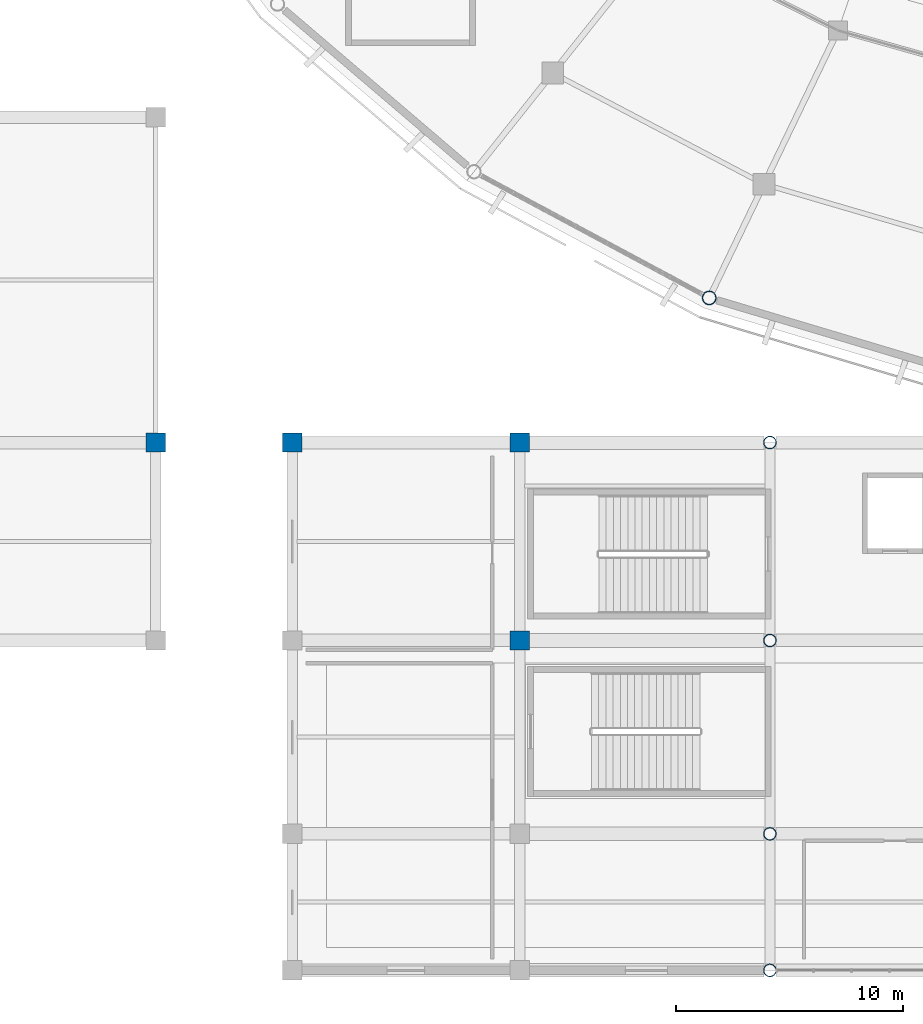
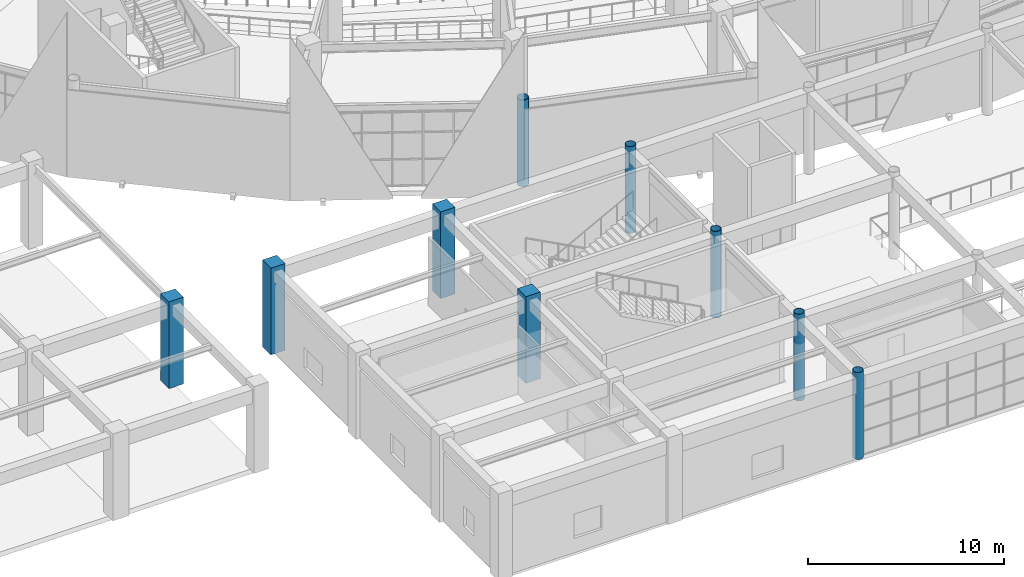
# One storey, part 2 of 120: 9 columns.
"""IFC4 building model written with IfcOpenShell, lengths in metres."""

from ifc_helpers import new_model, si_unit, direction, frame, origin, origin_2d, place, context, subcontext, project, spatial, rectangle, hollow_circle, extrude, material, material_profile, profile_set, type_object, element, save


model = new_model("IFC4")

# Units and contexts
model_context = context("Model", 3, precision=1e-05, world=origin(), true_north=direction((0.0, 1.0)))
body_context = subcontext(model_context, "Body", "Model", "MODEL_VIEW")
ifc_project = project(units=[si_unit("LENGTHUNIT", "METRE"), si_unit("AREAUNIT", "SQUARE_METRE"), si_unit("VOLUMEUNIT", "CUBIC_METRE"), si_unit("PLANEANGLEUNIT", "RADIAN"), si_unit("MASSUNIT", "GRAM", prefix="KILO")], contexts=[model_context])

# Site, building, storey
site_placement = place(None, origin())
site = spatial("IfcSite", under=ifc_project, at=site_placement, CompositionType="ELEMENT")
building_placement = place(site_placement, origin())
building = spatial("IfcBuilding", under=site, at=building_placement, Name="Cuetzalor Civic Arena", CompositionType="ELEMENT")
storey_placement = place(building_placement, frame((0.0, 0.0, 6.0)))
storey = spatial("IfcBuildingStorey", under=building, at=storey_placement, Name="L01", CompositionType="ELEMENT", Elevation=6.0)

# Columns
ifc_material_1 = material(Name="Concrete C40/50", Category="concrete")
ifc_material_profile_1 = material_profile(ifc_material_1, rectangle(XDim=0.85009765625, YDim=0.85009765625, at=origin_2d()), Name="RC 850x850")
ifc_profile_set_1 = profile_set([ifc_material_profile_1], Name="Concrete C40/50")
column_type_1 = type_object("IfcColumnType", Name="ConcreteColumn_850", PredefinedType="COLUMN", material=ifc_profile_set_1)
for number, where, z_axis, x_axis, name in (
    (1, (-42.0, -48.300048828125, 0.0), (0.0, 0.0, 1.0), (1.0, 0.0, 0.0), "Column V3-C-01-04 L01"),
    (2, (-32.0, -57.0, 0.0), (0.0, 0.0, 1.0), (1.0, 0.0, 0.0), "Column V3-C-02-03 L01"),
    (3, (-32.0, -48.300048828125, 0.0), (0.0, 0.0, 1.0), (1.0, 0.0, 0.0), "Column V3-C-02-04 L01"),
    (4, (-48.0, -48.300048828125, 0.0), (0.0, 0.0, 1.0), (1.0, 0.0, 0.0), "Column V4W-RET-02 L01"),
):
    element("IfcColumn", number, at=place(storey_placement, frame(where, z_axis=z_axis, x_axis=x_axis)), inside=storey, type_object=column_type_1, Name=name, PredefinedType="COLUMN", context=body_context, shape_type="SweptSolid", body=[
        extrude(rectangle(XDim=0.85009765625, YDim=0.85009765625, at=origin_2d()), origin(), (0.0, 0.0, 1.0), 5.39990234375),
    ])
ifc_material_2 = material(Name="Steel S355", Category="steel")
ifc_material_profile_2 = material_profile(ifc_material_2, hollow_circle(Radius=0.304931640625, WallThickness=0.02490234375, at=origin_2d()), Name="CHS 610x25")
ifc_profile_set_2 = profile_set([ifc_material_profile_2], Name="Steel S355")
column_type_2 = type_object("IfcColumnType", Name="SteelDomePylon_CHS610", PredefinedType="COLUMN", material=ifc_profile_set_2)
column_placement = place(storey_placement, frame((-23.66845703125, -41.940185546875, 0.0), z_axis=(0.0, 0.0, 1.0), x_axis=(1.0, 0.0, 0.0)))
element("IfcColumn", 5, at=column_placement, inside=storey, type_object=column_type_2, Name="Column V1-PYL-20 L01", PredefinedType="COLUMN", context=body_context, shape_type="SweptSolid", body=[
    extrude(hollow_circle(Radius=0.304931640625, WallThickness=0.02490234375, at=origin_2d()), origin(), (0.0, 0.0, 1.0), 5.39990234375),
])
ifc_material_3 = material(Name="Steel S355", Category="steel")
ifc_material_profile_3 = material_profile(ifc_material_3, hollow_circle(Radius=0.279541015625, WallThickness=0.02001953125, at=origin_2d()), Name="CHS 559x20")
ifc_profile_set_3 = profile_set([ifc_material_profile_3], Name="Steel S355")
column_type_3 = type_object("IfcColumnType", Name="SteelFoyerColumn_CHS559", PredefinedType="COLUMN", material=ifc_profile_set_3)
for number, where, z_axis, x_axis, name in (
    (6, (-21.0, -71.5, 0.0), (0.0, 0.0, 1.0), (1.0, 0.0, 0.0), "Column V3-C-03-01 L01"),
    (7, (-21.0, -65.5, 0.0), (0.0, 0.0, 1.0), (1.0, 0.0, 0.0), "Column V3-C-03-02 L01"),
    (8, (-21.0, -57.0, 0.0), (0.0, 0.0, 1.0), (1.0, 0.0, 0.0), "Column V3-C-03-03 L01"),
    (9, (-21.0, -48.300048828125, 0.0), (0.0, 0.0, 1.0), (1.0, 0.0, 0.0), "Column V3-C-03-04 L01"),
):
    element("IfcColumn", number, at=place(storey_placement, frame(where, z_axis=z_axis, x_axis=x_axis)), inside=storey, type_object=column_type_3, Name=name, PredefinedType="COLUMN", context=body_context, shape_type="SweptSolid", body=[
        extrude(hollow_circle(Radius=0.279541015625, WallThickness=0.02001953125, at=origin_2d()), origin(), (0.0, 0.0, 1.0), 5.39990234375),
    ])

save(model, "model.ifc")
